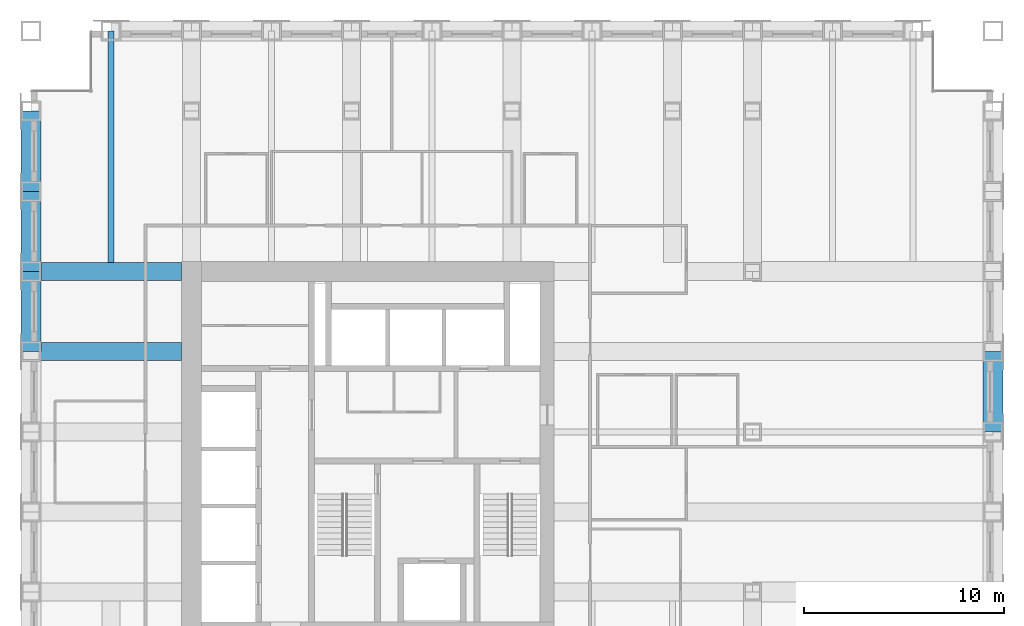
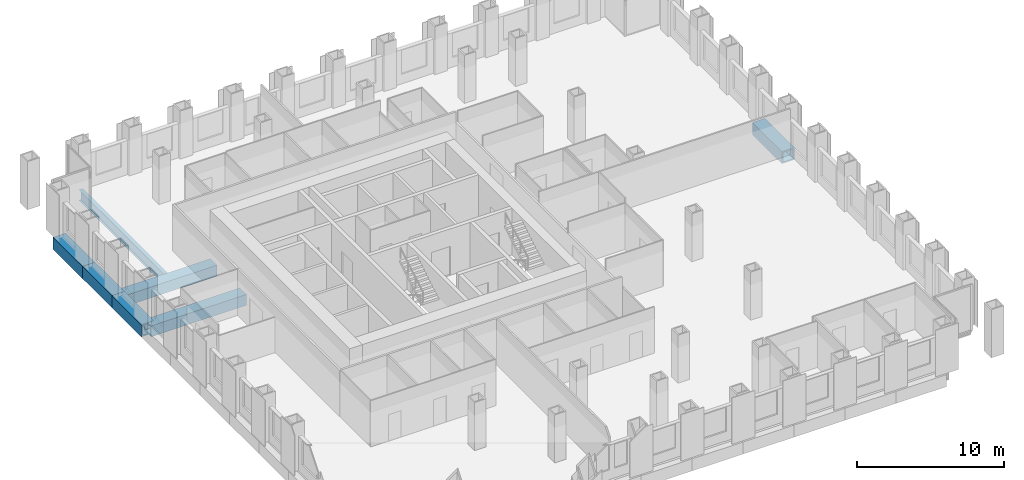
# One storey, part 5 of 16: 7 beams.
"""IFC4 building model written with IfcOpenShell, lengths in metres."""

from ifc_helpers import new_model, si_unit, direction, frame, origin, origin_2d, place, context, subcontext, project, spatial, hollow_rectangle, i_section, extrude, material, material_profile, profile_set, type_object, element, save


model = new_model("IFC4")

# Units and contexts
model_context = context("Model", 3, precision=1e-05, world=origin(), true_north=direction((0.0, 1.0)))
body_context = subcontext(model_context, "Body", "Model", "MODEL_VIEW")
ifc_project = project(units=[si_unit("LENGTHUNIT", "METRE"), si_unit("AREAUNIT", "SQUARE_METRE"), si_unit("VOLUMEUNIT", "CUBIC_METRE"), si_unit("PLANEANGLEUNIT", "RADIAN"), si_unit("MASSUNIT", "GRAM", prefix="KILO")], contexts=[model_context])

# Site, building, storey
site_placement = place(None, origin())
site = spatial("IfcSite", under=ifc_project, at=site_placement, CompositionType="ELEMENT")
building_placement = place(site_placement, origin())
building = spatial("IfcBuilding", under=site, at=building_placement, Name="Rimbunsela Tower", CompositionType="ELEMENT")
storey_placement = place(building_placement, frame((0.0, 0.0, 97.39990234375)))
storey = spatial("IfcBuildingStorey", under=building, at=storey_placement, Name="L23", CompositionType="ELEMENT", Elevation=97.39990234375)

# Beams
ifc_material_1 = material(Name="Steel BJ 55 (fy 410 MPa)", Category="steel")
ifc_material_profile_1 = material_profile(ifc_material_1, hollow_rectangle(XDim=1.0, YDim=1.0, WallThickness=0.10009765625, at=origin_2d()), Name="BOX 1000x1000x100")
ifc_profile_set_1 = profile_set([ifc_material_profile_1], Name="Steel BJ 55 (fy 410 MPa)")
beam_type_1 = type_object("IfcBeamType", Name="Beam BOX 1000x1000x100", PredefinedType="BEAM", material=ifc_profile_set_1)
for number, where, z_axis, x_axis, name in (
    (1, (10.0, 32.0, -0.64990234375), (0.0, 1.0, 0.0), (-1.0, 0.0, 0.0), "Beam B3 L23"),
    (2, (10.0, 36.0, -0.64990234375), (0.0, 1.0, 0.0), (-1.0, 0.0, 0.0), "Beam B3 L23"),
    (3, (10.0, 40.0, -0.64990234375), (0.0, 1.0, 0.0), (-1.0, 0.0, 0.0), "Beam B3 L23"),
    (4, (58.0, 28.0, -0.64990234375), (0.0, 1.0, 0.0), (-1.0, 0.0, 0.0), "Beam B3 L23"),
):
    element("IfcBeam", number, at=place(storey_placement, frame(where, z_axis=z_axis, x_axis=x_axis)), inside=storey, type_object=beam_type_1, Name=name, PredefinedType="BEAM", context=body_context, shape_type="SweptSolid", body=[
        extrude(hollow_rectangle(XDim=1.0, YDim=1.0, WallThickness=0.10009765625, at=origin_2d()), origin(), (0.0, 0.0, 1.0), 4.0),
    ])
ifc_material_2 = material(Name="Steel BJ 55 (fy 410 MPa)", Category="steel")
ifc_material_profile_2 = material_profile(ifc_material_2, hollow_rectangle(XDim=0.89990234375, YDim=0.89990234375, WallThickness=0.06005859375, at=origin_2d()), Name="BOX 900x900x60")
ifc_profile_set_2 = profile_set([ifc_material_profile_2], Name="Steel BJ 55 (fy 410 MPa)")
beam_type_2 = type_object("IfcBeamType", Name="Beam BOX 900x900x60", PredefinedType="BEAM", material=ifc_profile_set_2)
for number, where, z_axis, x_axis, name in (
    (5, (10.0, 32.0, -0.599853515625), (1.0, 0.0, 0.0), (0.0, 1.0, 0.0), "Beam B1 L23"),
    (6, (10.0, 36.0, -0.599853515625), (1.0, 0.0, 0.0), (0.0, 1.0, 0.0), "Beam B1 L23"),
):
    element("IfcBeam", number, at=place(storey_placement, frame(where, z_axis=z_axis, x_axis=x_axis)), inside=storey, type_object=beam_type_2, Name=name, PredefinedType="BEAM", context=body_context, shape_type="SweptSolid", body=[
        extrude(hollow_rectangle(XDim=0.89990234375, YDim=0.89990234375, WallThickness=0.06005859375, at=origin_2d()), origin(), (0.0, 0.0, 1.0), 7.5),
    ])
ifc_material_3 = material(Name="Steel BJ 55 (fy 410 MPa)", Category="steel")
ifc_material_profile_3 = material_profile(ifc_material_3, i_section(OverallWidth=0.300048828125, OverallDepth=0.89990234375, WebThickness=0.01611328125, FlangeThickness=0.028076171875, FilletRadius=0.028076171875, at=origin_2d()), Name="H 900x300x16x28")
ifc_profile_set_3 = profile_set([ifc_material_profile_3], Name="Steel BJ 55 (fy 410 MPa)")
beam_type_3 = type_object("IfcBeamType", Name="Beam H 900x300x16x28", PredefinedType="BEAM", material=ifc_profile_set_3)
beam_placement = place(storey_placement, frame((14.0, 36.449951171875, -0.599853515625), z_axis=(0.0, 1.0, 0.0), x_axis=(-1.0, 0.0, 0.0)))
element("IfcBeam", 7, at=beam_placement, inside=storey, type_object=beam_type_3, Name="Beam B2 L23", PredefinedType="BEAM", context=body_context, shape_type="SweptSolid", body=[
    extrude(i_section(OverallWidth=0.300048828125, OverallDepth=0.89990234375, WebThickness=0.01611328125, FlangeThickness=0.028076171875, FilletRadius=0.028076171875, at=origin_2d()), origin(), (0.0, 0.0, 1.0), 11.550048828125),
])

save(model, "model.ifc")
